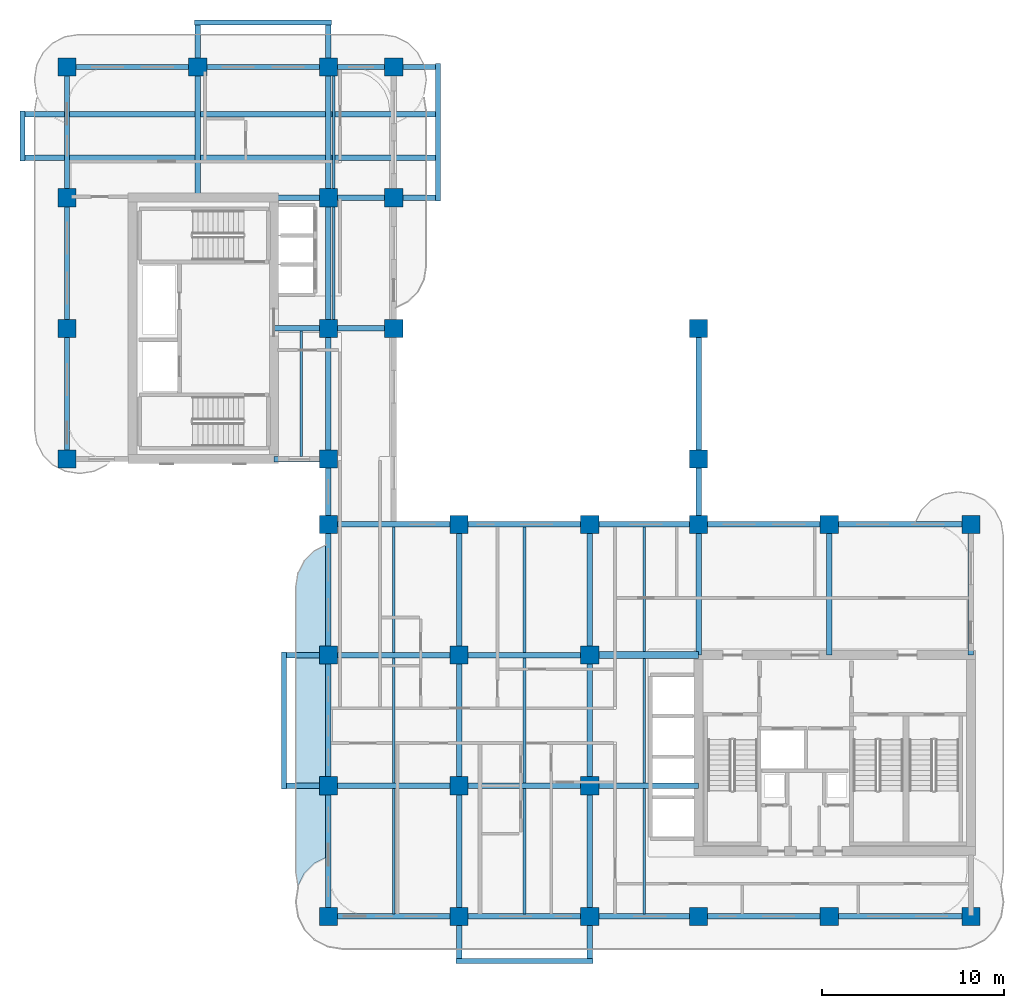
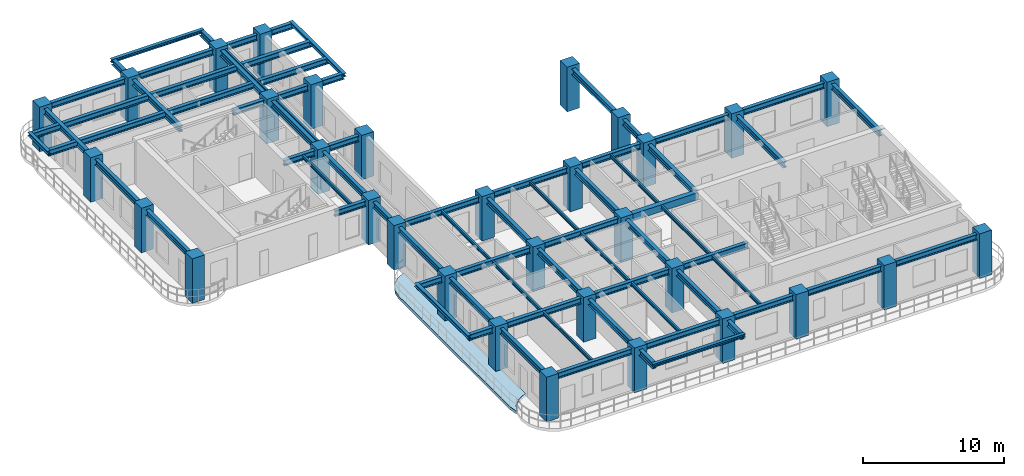
# One storey, part 1 of 14: 62 beams, 32 columns, 1 slab.
"""IFC4 building model written with IfcOpenShell, lengths in metres."""

from ifc_helpers import new_model, si_unit, derived_unit, direction, frame, origin, origin_2d, place, context, subcontext, project, spatial, polyline, rectangle, i_section, outline, extrude, source, transform, mapped, material, layer, layer_set, material_profile, profile_set, type_object, type_shapes, element, save


model = new_model("IFC4")

# Units and contexts
model_context = context("Model", 3, precision=1e-05, world=origin(), true_north=direction((0.0, 1.0)))
body_context = subcontext(model_context, "Body", "Model", "MODEL_VIEW")
ifc_project = project(units=[si_unit("LENGTHUNIT", "METRE"), si_unit("AREAUNIT", "SQUARE_METRE"), si_unit("VOLUMEUNIT", "CUBIC_METRE"), si_unit("PLANEANGLEUNIT", "RADIAN"), si_unit("MASSUNIT", "GRAM", prefix="KILO"), si_unit("THERMODYNAMICTEMPERATUREUNIT", "KELVIN"), si_unit("POWERUNIT", "WATT"), derived_unit("THERMALTRANSMITTANCEUNIT", [(si_unit("POWERUNIT", "WATT"), 1), (si_unit("AREAUNIT", "SQUARE_METRE"), -1), (si_unit("THERMODYNAMICTEMPERATUREUNIT", "KELVIN"), -1)])], contexts=[model_context])

# Site, building, storey
site_placement = place(None, origin())
site = spatial("IfcSite", under=ifc_project, at=site_placement, CompositionType="ELEMENT")
building_placement = place(site_placement, origin())
building = spatial("IfcBuilding", under=site, at=building_placement, Name="Zahravan Archway Hotel and Residences", CompositionType="ELEMENT")
storey_placement = place(building_placement, frame((0.0, 0.0, 188.800048828125)))
storey = spatial("IfcBuildingStorey", under=building, at=storey_placement, Name="L47", CompositionType="ELEMENT", Elevation=188.800048828125)

# Columns
ifc_material_1 = material(Name="Concrete C60/75", Category="concrete")
ifc_material_profile_1 = material_profile(ifc_material_1, rectangle(XDim=1.0, YDim=1.0, at=origin_2d()), Name="RC-COL-1000x1000", Category="concrete")
ifc_profile_set_1 = profile_set([ifc_material_profile_1], Name="Concrete C60/75")
column_type = type_object("IfcColumnType", Name="COL-RC-1000", PredefinedType="COLUMN", material=ifc_profile_set_1)
shared_shape_1 = source(origin(), body_context, "Body", "SweptSolid", [
    extrude(rectangle(XDim=1.0, YDim=1.0, at=origin_2d()), origin(), (0.0, 0.0, 1.0), 3.849853515625),
])
for number, where, z_axis, x_axis, name in (
    (1, (0.0, 25.199951171875, 0.0), (0.0, 0.0, 1.0), (1.0, 0.0, 0.0), "L47 Column 1-E"),
    (2, (0.0, 32.39990234375, 0.0), (0.0, 0.0, 1.0), (1.0, 0.0, 0.0), "L47 Column 1-F"),
    (3, (0.0, 39.60009765625, 0.0), (0.0, 0.0, 1.0), (1.0, 0.0, 0.0), "L47 Column 1-G"),
    (4, (0.0, 46.800048828125, 0.0), (0.0, 0.0, 1.0), (1.0, 0.0, 0.0), "L47 Column 1-H"),
    (5, (7.199951171875, 46.800048828125, 0.0), (0.0, 0.0, 1.0), (1.0, 0.0, 0.0), "L47 Column 2-H"),
    (6, (14.39990234375, 0.0, 0.0), (0.0, 0.0, 1.0), (1.0, 0.0, 0.0), "L47 Column 3-A"),
    (7, (14.39990234375, 7.199951171875, 0.0), (0.0, 0.0, 1.0), (1.0, 0.0, 0.0), "L47 Column 3-B"),
    (8, (14.39990234375, 14.39990234375, 0.0), (0.0, 0.0, 1.0), (1.0, 0.0, 0.0), "L47 Column 3-C"),
    (9, (14.39990234375, 21.60009765625, 0.0), (0.0, 0.0, 1.0), (1.0, 0.0, 0.0), "L47 Column 3-D"),
    (10, (14.39990234375, 25.199951171875, 0.0), (0.0, 0.0, 1.0), (1.0, 0.0, 0.0), "L47 Column 3-E"),
    (11, (14.39990234375, 32.39990234375, 0.0), (0.0, 0.0, 1.0), (1.0, 0.0, 0.0), "L47 Column 3-F"),
    (12, (14.39990234375, 39.60009765625, 0.0), (0.0, 0.0, 1.0), (1.0, 0.0, 0.0), "L47 Column 3-G"),
    (13, (14.39990234375, 46.800048828125, 0.0), (0.0, 0.0, 1.0), (1.0, 0.0, 0.0), "L47 Column 3-H"),
    (14, (21.60009765625, 0.0, 0.0), (0.0, 0.0, 1.0), (1.0, 0.0, 0.0), "L47 Column 4-A"),
    (15, (21.60009765625, 7.199951171875, 0.0), (0.0, 0.0, 1.0), (1.0, 0.0, 0.0), "L47 Column 4-B"),
    (16, (21.60009765625, 14.39990234375, 0.0), (0.0, 0.0, 1.0), (1.0, 0.0, 0.0), "L47 Column 4-C"),
    (17, (21.60009765625, 21.60009765625, 0.0), (0.0, 0.0, 1.0), (1.0, 0.0, 0.0), "L47 Column 4-D"),
    (18, (28.800048828125, 0.0, 0.0), (0.0, 0.0, 1.0), (1.0, 0.0, 0.0), "L47 Column 5-A"),
    (19, (28.800048828125, 7.199951171875, 0.0), (0.0, 0.0, 1.0), (1.0, 0.0, 0.0), "L47 Column 5-B"),
    (20, (28.800048828125, 14.39990234375, 0.0), (0.0, 0.0, 1.0), (1.0, 0.0, 0.0), "L47 Column 5-C"),
    (21, (28.800048828125, 21.60009765625, 0.0), (0.0, 0.0, 1.0), (1.0, 0.0, 0.0), "L47 Column 5-D"),
    (22, (34.800048828125, 0.0, 0.0), (0.0, 0.0, 1.0), (1.0, 0.0, 0.0), "L47 Column 6-A"),
    (23, (34.800048828125, 21.60009765625, 0.0), (0.0, 0.0, 1.0), (1.0, 0.0, 0.0), "L47 Column 6-D"),
    (24, (42.0, 0.0, 0.0), (0.0, 0.0, 1.0), (1.0, 0.0, 0.0), "L47 Column 7-A"),
    (25, (42.0, 21.60009765625, 0.0), (0.0, 0.0, 1.0), (1.0, 0.0, 0.0), "L47 Column 7-D"),
    (26, (49.800048828125, 0.0, 0.0), (0.0, 0.0, 1.0), (1.0, 0.0, 0.0), "L47 Column 8-A"),
    (27, (49.800048828125, 21.60009765625, 0.0), (0.0, 0.0, 1.0), (1.0, 0.0, 0.0), "L47 Column 8-D"),
    (28, (18.0, 32.39990234375, 0.0), (0.0, 0.0, 1.0), (1.0, 0.0, 0.0), "L47 Column 3B-F"),
    (29, (18.0, 39.60009765625, 0.0), (0.0, 0.0, 1.0), (1.0, 0.0, 0.0), "L47 Column 3B-G"),
    (30, (18.0, 46.800048828125, 0.0), (0.0, 0.0, 1.0), (1.0, 0.0, 0.0), "L47 Column 3B-H"),
    (31, (34.800048828125, 25.199951171875, 0.0), (0.0, 0.0, 1.0), (1.0, 0.0, 0.0), "L47 Column 6-E"),
    (32, (34.800048828125, 32.39990234375, 0.0), (0.0, 0.0, 1.0), (1.0, 0.0, 0.0), "L47 Column 6-F"),
):
    element("IfcColumn", number, at=place(storey_placement, frame(where, z_axis=z_axis, x_axis=x_axis)), inside=storey, type_object=column_type, Name=name, PredefinedType="COLUMN", context=body_context, shape_type="MappedRepresentation", body=[
        mapped(shared_shape_1, transform((0.0, 0.0, 0.0), scale=1.0)),
    ])

# Beams
ifc_material_2 = material(Name="Structural Steel S355JR", Category="steel")
ifc_material_profile_2 = material_profile(ifc_material_2, i_section(OverallWidth=0.280029296875, OverallDepth=0.280029296875, WebThickness=0.010498046875, FlangeThickness=0.01806640625, FilletRadius=0.02392578125, at=origin_2d()), Name="HEB 280", Category="steel")
ifc_profile_set_2 = profile_set([ifc_material_profile_2], Name="Structural Steel S355JR")
beam_type_1 = type_object("IfcBeamType", Name="BM-SPN-HEB280", PredefinedType="SPANDREL", material=ifc_profile_set_2)
shared_shape_2 = source(origin(), body_context, "Body", "SweptSolid", [
    extrude(i_section(OverallWidth=0.280029296875, OverallDepth=0.280029296875, WebThickness=0.010498046875, FlangeThickness=0.01806640625, FilletRadius=0.02392578125, at=origin_2d()), origin(), (0.0, 0.0, 1.0), 7.56005859375),
])
type_shapes(beam_type_1, [shared_shape_2])
for number, where, z_axis, x_axis, name in (
    (33, (11.949951171875, 7.02001953125, 3.4599609375), (0.0, 1.0, 0.0), (-1.0, 0.0, 0.0), "L48 WA Balcony Edge Spandrel"),
    (34, (20.449951171875, 39.419921875, 3.4599609375), (0.0, 1.0, 0.0), (-1.0, 0.0, 0.0), "L48 EB Balcony Edge Spandrel"),
    (35, (21.419921875, -2.449951171875, 3.4599609375), (1.0, 0.0, 0.0), (0.0, 1.0, 0.0), "L48 SA Balcony Edge Spandrel"),
    (36, (7.02001953125, 49.25, 3.4599609375), (1.0, 0.0, 0.0), (0.0, 1.0, 0.0), "L48 NB Balcony Edge Spandrel"),
):
    element("IfcBeam", number, at=place(storey_placement, frame(where, z_axis=z_axis, x_axis=x_axis)), inside=storey, type_object=beam_type_1, Name=name, PredefinedType="SPANDREL", context=body_context, shape_type="MappedRepresentation", body=[
        mapped(shared_shape_2, transform((0.0, 0.0, 0.0), scale=1.0)),
    ])
shared_shape_3 = source(origin(), body_context, "Body", "SweptSolid", [
    extrude(i_section(OverallWidth=0.280029296875, OverallDepth=0.280029296875, WebThickness=0.010498046875, FlangeThickness=0.01806640625, FilletRadius=0.02392578125, at=origin_2d()), origin(), (0.0, 0.0, 1.0), 2.759765625),
])
beam_1_placement = place(storey_placement, frame((-2.449951171875, 41.6201171875, 3.4599609375), z_axis=(0.0, 1.0, 0.0), x_axis=(-1.0, 0.0, 0.0)))
element("IfcBeam", 37, at=beam_1_placement, inside=storey, type_object=beam_type_1, Name="L48 WB Balcony Edge Spandrel", PredefinedType="SPANDREL", context=body_context, shape_type="MappedRepresentation", body=[
    mapped(shared_shape_3, transform((0.0, 0.0, 0.0), scale=1.0)),
])
ifc_material_profile_3 = material_profile(ifc_material_1, rectangle(XDim=0.39990234375, YDim=0.60009765625, at=origin_2d()), Name="RC-LNT-400x600", Category="concrete")
ifc_profile_set_3 = profile_set([ifc_material_profile_3], Name="Concrete C60/75")
beam_type_2 = type_object("IfcBeamType", Name="LNT-RC-400x600", PredefinedType="LINTEL", material=ifc_profile_set_3)
shared_shape_4 = source(origin(), body_context, "Body", "SweptSolid", [
    extrude(rectangle(XDim=0.39990234375, YDim=0.60009765625, at=origin_2d()), origin(), (0.0, 0.0, 1.0), 6.0),
])
type_shapes(beam_type_2, [shared_shape_4])
beam_2_placement = place(storey_placement, frame((28.800048828125, 14.39990234375, 3.300048828125), z_axis=(1.0, 0.0, 0.0), x_axis=(0.0, 1.0, 0.0)))
element("IfcBeam", 38, at=beam_2_placement, inside=storey, type_object=beam_type_2, Name="L47 Core A Coupling Lintel Beam", PredefinedType="LINTEL", context=body_context, shape_type="MappedRepresentation", body=[
    mapped(shared_shape_4, transform((0.0, 0.0, 0.0), scale=1.0)),
])
ifc_material_profile_4 = material_profile(ifc_material_2, i_section(OverallWidth=0.300048828125, OverallDepth=0.5, WebThickness=0.014404296875, FlangeThickness=0.028076171875, FilletRadius=0.027099609375, at=origin_2d()), Name="HEB 500", Category="steel")
ifc_profile_set_4 = profile_set([ifc_material_profile_4], Name="Structural Steel S355JR")
beam_type_3 = type_object("IfcBeamType", Name="BM-PRI-HEB500", PredefinedType="BEAM", material=ifc_profile_set_4)
shared_shape_5 = source(origin(), body_context, "Body", "SweptSolid", [
    extrude(i_section(OverallWidth=0.300048828125, OverallDepth=0.5, WebThickness=0.014404296875, FlangeThickness=0.028076171875, FilletRadius=0.027099609375, at=origin_2d()), origin(), (0.0, 0.0, 1.0), 7.2001953125),
])
type_shapes(beam_type_3, [shared_shape_5])
for number, where, z_axis, x_axis, name in (
    (39, (14.39990234375, 0.0, 3.349853515625), (1.0, 0.0, 0.0), (0.0, 1.0, 0.0), "L47 Primary Girder EW-01"),
    (40, (14.39990234375, 21.60009765625, 3.349853515625), (1.0, 0.0, 0.0), (0.0, 1.0, 0.0), "L47 Primary Girder EW-11"),
    (41, (0.0, 32.39990234375, 3.349853515625), (0.0, 1.0, 0.0), (-1.0, 0.0, 0.0), "L47 Primary Girder NS-24"),
    (42, (14.39990234375, 14.39990234375, 3.349853515625), (0.0, 1.0, 0.0), (-1.0, 0.0, 0.0), "L47 Primary Girder NS-29"),
    (43, (14.39990234375, 32.39990234375, 3.349853515625), (0.0, 1.0, 0.0), (-1.0, 0.0, 0.0), "L47 Primary Girder NS-32"),
    (44, (21.60009765625, 14.39990234375, 3.349853515625), (0.0, 1.0, 0.0), (-1.0, 0.0, 0.0), "L47 Primary Girder NS-36"),
    (45, (28.800048828125, 14.39990234375, 3.349853515625), (0.0, 1.0, 0.0), (-1.0, 0.0, 0.0), "L47 Primary Girder NS-39"),
    (46, (34.800048828125, 14.39990234375, 3.349853515625), (0.0, 1.0, 0.0), (-1.0, 0.0, 0.0), "L47 Primary Girder NS-40"),
    (47, (42.0, 14.39990234375, 3.349853515625), (0.0, 1.0, 0.0), (-1.0, 0.0, 0.0), "L47 Primary Girder NS-43"),
    (48, (49.800048828125, 14.39990234375, 3.349853515625), (0.0, 1.0, 0.0), (-1.0, 0.0, 0.0), "L47 Primary Girder NS-44"),
):
    element("IfcBeam", number, at=place(storey_placement, frame(where, z_axis=z_axis, x_axis=x_axis)), inside=storey, type_object=beam_type_3, Name=name, PredefinedType="BEAM", context=body_context, shape_type="MappedRepresentation", body=[
        mapped(shared_shape_5, transform((0.0, 0.0, 0.0), scale=1.0)),
    ])
shared_shape_6 = source(origin(), body_context, "Body", "SweptSolid", [
    extrude(i_section(OverallWidth=0.300048828125, OverallDepth=0.5, WebThickness=0.014404296875, FlangeThickness=0.028076171875, FilletRadius=0.027099609375, at=origin_2d()), origin(), (0.0, 0.0, 1.0), 7.199951171875),
])
for number, where, z_axis, x_axis, name in (
    (49, (21.60009765625, 0.0, 3.349853515625), (1.0, 0.0, 0.0), (0.0, 1.0, 0.0), "L47 Primary Girder EW-02"),
    (50, (34.800048828125, 0.0, 3.349853515625), (1.0, 0.0, 0.0), (0.0, 1.0, 0.0), "L47 Primary Girder EW-04"),
    (51, (21.60009765625, 7.199951171875, 3.349853515625), (1.0, 0.0, 0.0), (0.0, 1.0, 0.0), "L47 Primary Girder EW-07"),
    (52, (21.60009765625, 14.39990234375, 3.349853515625), (1.0, 0.0, 0.0), (0.0, 1.0, 0.0), "L47 Primary Girder EW-10"),
    (53, (21.60009765625, 21.60009765625, 3.349853515625), (1.0, 0.0, 0.0), (0.0, 1.0, 0.0), "L47 Primary Girder EW-12"),
    (54, (34.800048828125, 21.60009765625, 3.349853515625), (1.0, 0.0, 0.0), (0.0, 1.0, 0.0), "L47 Primary Girder EW-14"),
    (55, (0.0, 46.800048828125, 3.349853515625), (1.0, 0.0, 0.0), (0.0, 1.0, 0.0), "L47 Primary Girder EW-19"),
    (56, (0.0, 25.199951171875, 3.349853515625), (0.0, 1.0, 0.0), (-1.0, 0.0, 0.0), "L47 Primary Girder NS-23"),
    (57, (0.0, 39.60009765625, 3.349853515625), (0.0, 1.0, 0.0), (-1.0, 0.0, 0.0), "L47 Primary Girder NS-25"),
    (58, (14.39990234375, 0.0, 3.349853515625), (0.0, 1.0, 0.0), (-1.0, 0.0, 0.0), "L47 Primary Girder NS-27"),
    (59, (14.39990234375, 7.199951171875, 3.349853515625), (0.0, 1.0, 0.0), (-1.0, 0.0, 0.0), "L47 Primary Girder NS-28"),
    (60, (14.39990234375, 25.199951171875, 3.349853515625), (0.0, 1.0, 0.0), (-1.0, 0.0, 0.0), "L47 Primary Girder NS-31"),
    (61, (21.60009765625, 7.199951171875, 3.349853515625), (0.0, 1.0, 0.0), (-1.0, 0.0, 0.0), "L47 Primary Girder NS-35"),
    (62, (28.800048828125, 7.199951171875, 3.349853515625), (0.0, 1.0, 0.0), (-1.0, 0.0, 0.0), "L47 Primary Girder NS-38"),
    (63, (34.800048828125, 25.199951171875, 3.349853515625), (0.0, 1.0, 0.0), (-1.0, 0.0, 0.0), "L47 Primary Girder NS-42"),
):
    element("IfcBeam", number, at=place(storey_placement, frame(where, z_axis=z_axis, x_axis=x_axis)), inside=storey, type_object=beam_type_3, Name=name, PredefinedType="BEAM", context=body_context, shape_type="MappedRepresentation", body=[
        mapped(shared_shape_6, transform((0.0, 0.0, 0.0), scale=1.0)),
    ])
shared_shape_7 = source(origin(), body_context, "Body", "SweptSolid", [
    extrude(i_section(OverallWidth=0.300048828125, OverallDepth=0.5, WebThickness=0.014404296875, FlangeThickness=0.028076171875, FilletRadius=0.027099609375, at=origin_2d()), origin(), (0.0, 0.0, 1.0), 6.0),
])
for number, where, z_axis, x_axis, name in (
    (64, (28.800048828125, 0.0, 3.349853515625), (1.0, 0.0, 0.0), (0.0, 1.0, 0.0), "L47 Primary Girder EW-03"),
    (65, (28.800048828125, 7.199951171875, 3.349853515625), (1.0, 0.0, 0.0), (0.0, 1.0, 0.0), "L47 Primary Girder EW-08"),
    (66, (28.800048828125, 21.60009765625, 3.349853515625), (1.0, 0.0, 0.0), (0.0, 1.0, 0.0), "L47 Primary Girder EW-13"),
):
    element("IfcBeam", number, at=place(storey_placement, frame(where, z_axis=z_axis, x_axis=x_axis)), inside=storey, type_object=beam_type_3, Name=name, PredefinedType="BEAM", context=body_context, shape_type="MappedRepresentation", body=[
        mapped(shared_shape_7, transform((0.0, 0.0, 0.0), scale=1.0)),
    ])
shared_shape_8 = source(origin(), body_context, "Body", "SweptSolid", [
    extrude(i_section(OverallWidth=0.300048828125, OverallDepth=0.5, WebThickness=0.014404296875, FlangeThickness=0.028076171875, FilletRadius=0.027099609375, at=origin_2d()), origin(), (0.0, 0.0, 1.0), 7.800048828125),
])
for number, where, z_axis, x_axis, name in (
    (67, (42.0, 0.0, 3.349853515625), (1.0, 0.0, 0.0), (0.0, 1.0, 0.0), "L47 Primary Girder EW-05"),
    (68, (42.0, 21.60009765625, 3.349853515625), (1.0, 0.0, 0.0), (0.0, 1.0, 0.0), "L47 Primary Girder EW-15"),
):
    element("IfcBeam", number, at=place(storey_placement, frame(where, z_axis=z_axis, x_axis=x_axis)), inside=storey, type_object=beam_type_3, Name=name, PredefinedType="BEAM", context=body_context, shape_type="MappedRepresentation", body=[
        mapped(shared_shape_8, transform((0.0, 0.0, 0.0), scale=1.0)),
    ])
shared_shape_9 = source(origin(), body_context, "Body", "SweptSolid", [
    extrude(i_section(OverallWidth=0.300048828125, OverallDepth=0.5, WebThickness=0.014404296875, FlangeThickness=0.028076171875, FilletRadius=0.027099609375, at=origin_2d()), origin(), (0.0, 0.0, 1.0), 9.650146484375),
])
for number, where, z_axis, x_axis, name in (
    (69, (11.949951171875, 7.199951171875, 3.349853515625), (1.0, 0.0, 0.0), (0.0, 1.0, 0.0), "L47 Primary Girder EW-06"),
    (70, (11.949951171875, 14.39990234375, 3.349853515625), (1.0, 0.0, 0.0), (0.0, 1.0, 0.0), "L47 Primary Girder EW-09"),
):
    element("IfcBeam", number, at=place(storey_placement, frame(where, z_axis=z_axis, x_axis=x_axis)), inside=storey, type_object=beam_type_3, Name=name, PredefinedType="BEAM", context=body_context, shape_type="MappedRepresentation", body=[
        mapped(shared_shape_9, transform((0.0, 0.0, 0.0), scale=1.0)),
    ])
shared_shape_10 = source(origin(), body_context, "Body", "SweptSolid", [
    extrude(i_section(OverallWidth=0.300048828125, OverallDepth=0.5, WebThickness=0.014404296875, FlangeThickness=0.028076171875, FilletRadius=0.027099609375, at=origin_2d()), origin(), (0.0, 0.0, 1.0), 3.0),
])
beam_3_placement = place(storey_placement, frame((11.39990234375, 25.199951171875, 3.349853515625), z_axis=(1.0, 0.0, 0.0), x_axis=(0.0, 1.0, 0.0)))
element("IfcBeam", 71, at=beam_3_placement, inside=storey, type_object=beam_type_3, Name="L47 Primary Girder EW-16", PredefinedType="BEAM", context=body_context, shape_type="MappedRepresentation", body=[
    mapped(shared_shape_10, transform((0.0, 0.0, 0.0), scale=1.0)),
])
shared_shape_11 = source(origin(), body_context, "Body", "SweptSolid", [
    extrude(i_section(OverallWidth=0.300048828125, OverallDepth=0.5, WebThickness=0.014404296875, FlangeThickness=0.028076171875, FilletRadius=0.027099609375, at=origin_2d()), origin(), (0.0, 0.0, 1.0), 6.60009765625),
])
beam_4_placement = place(storey_placement, frame((11.39990234375, 32.39990234375, 3.349853515625), z_axis=(1.0, 0.0, 0.0), x_axis=(0.0, 1.0, 0.0)))
element("IfcBeam", 72, at=beam_4_placement, inside=storey, type_object=beam_type_3, Name="L47 Primary Girder EW-17", PredefinedType="BEAM", context=body_context, shape_type="MappedRepresentation", body=[
    mapped(shared_shape_11, transform((0.0, 0.0, 0.0), scale=1.0)),
])
shared_shape_12 = source(origin(), body_context, "Body", "SweptSolid", [
    extrude(i_section(OverallWidth=0.300048828125, OverallDepth=0.5, WebThickness=0.014404296875, FlangeThickness=0.028076171875, FilletRadius=0.027099609375, at=origin_2d()), origin(), (0.0, 0.0, 1.0), 9.050048828125),
])
beam_5_placement = place(storey_placement, frame((11.39990234375, 39.60009765625, 3.349853515625), z_axis=(1.0, 0.0, 0.0), x_axis=(0.0, 1.0, 0.0)))
element("IfcBeam", 73, at=beam_5_placement, inside=storey, type_object=beam_type_3, Name="L47 Primary Girder EW-18", PredefinedType="BEAM", context=body_context, shape_type="MappedRepresentation", body=[
    mapped(shared_shape_12, transform((0.0, 0.0, 0.0), scale=1.0)),
])
shared_shape_13 = source(origin(), body_context, "Body", "SweptSolid", [
    extrude(i_section(OverallWidth=0.300048828125, OverallDepth=0.5, WebThickness=0.014404296875, FlangeThickness=0.028076171875, FilletRadius=0.027099609375, at=origin_2d()), origin(), (0.0, 0.0, 1.0), 13.25),
])
beam_6_placement = place(storey_placement, frame((7.199951171875, 46.800048828125, 3.349853515625), z_axis=(1.0, 0.0, 0.0), x_axis=(0.0, 1.0, 0.0)))
element("IfcBeam", 74, at=beam_6_placement, inside=storey, type_object=beam_type_3, Name="L47 Primary Girder EW-20", PredefinedType="BEAM", context=body_context, shape_type="MappedRepresentation", body=[
    mapped(shared_shape_13, transform((0.0, 0.0, 0.0), scale=1.0)),
])
shared_shape_14 = source(origin(), body_context, "Body", "SweptSolid", [
    extrude(i_section(OverallWidth=0.300048828125, OverallDepth=0.5, WebThickness=0.014404296875, FlangeThickness=0.028076171875, FilletRadius=0.027099609375, at=origin_2d()), origin(), (0.0, 0.0, 1.0), 22.89990234375),
])
for number, where, z_axis, x_axis, name in (
    (75, (-2.449951171875, 41.800048828125, 3.349853515625), (1.0, 0.0, 0.0), (0.0, 1.0, 0.0), "L47 Primary Girder EW-21"),
    (76, (-2.449951171875, 44.199951171875, 3.349853515625), (1.0, 0.0, 0.0), (0.0, 1.0, 0.0), "L47 Primary Girder EW-22"),
):
    element("IfcBeam", number, at=place(storey_placement, frame(where, z_axis=z_axis, x_axis=x_axis)), inside=storey, type_object=beam_type_3, Name=name, PredefinedType="BEAM", context=body_context, shape_type="MappedRepresentation", body=[
        mapped(shared_shape_14, transform((0.0, 0.0, 0.0), scale=1.0)),
    ])
shared_shape_15 = source(origin(), body_context, "Body", "SweptSolid", [
    extrude(i_section(OverallWidth=0.300048828125, OverallDepth=0.5, WebThickness=0.014404296875, FlangeThickness=0.028076171875, FilletRadius=0.027099609375, at=origin_2d()), origin(), (0.0, 0.0, 1.0), 9.64990234375),
])
for number, where, z_axis, x_axis, name in (
    (77, (7.199951171875, 39.60009765625, 3.349853515625), (0.0, 1.0, 0.0), (-1.0, 0.0, 0.0), "L47 Primary Girder NS-26"),
    (78, (14.39990234375, 39.60009765625, 3.349853515625), (0.0, 1.0, 0.0), (-1.0, 0.0, 0.0), "L47 Primary Girder NS-33"),
    (79, (21.60009765625, -2.449951171875, 3.349853515625), (0.0, 1.0, 0.0), (-1.0, 0.0, 0.0), "L47 Primary Girder NS-34"),
    (80, (28.800048828125, -2.449951171875, 3.349853515625), (0.0, 1.0, 0.0), (-1.0, 0.0, 0.0), "L47 Primary Girder NS-37"),
):
    element("IfcBeam", number, at=place(storey_placement, frame(where, z_axis=z_axis, x_axis=x_axis)), inside=storey, type_object=beam_type_3, Name=name, PredefinedType="BEAM", context=body_context, shape_type="MappedRepresentation", body=[
        mapped(shared_shape_15, transform((0.0, 0.0, 0.0), scale=1.0)),
    ])
shared_shape_16 = source(origin(), body_context, "Body", "SweptSolid", [
    extrude(i_section(OverallWidth=0.300048828125, OverallDepth=0.5, WebThickness=0.014404296875, FlangeThickness=0.028076171875, FilletRadius=0.027099609375, at=origin_2d()), origin(), (0.0, 0.0, 1.0), 3.599853515625),
])
for number, where, z_axis, x_axis, name in (
    (81, (14.39990234375, 21.60009765625, 3.349853515625), (0.0, 1.0, 0.0), (-1.0, 0.0, 0.0), "L47 Primary Girder NS-30"),
    (82, (34.800048828125, 21.60009765625, 3.349853515625), (0.0, 1.0, 0.0), (-1.0, 0.0, 0.0), "L47 Primary Girder NS-41"),
):
    element("IfcBeam", number, at=place(storey_placement, frame(where, z_axis=z_axis, x_axis=x_axis)), inside=storey, type_object=beam_type_3, Name=name, PredefinedType="BEAM", context=body_context, shape_type="MappedRepresentation", body=[
        mapped(shared_shape_16, transform((0.0, 0.0, 0.0), scale=1.0)),
    ])
ifc_material_profile_5 = material_profile(ifc_material_2, i_section(OverallWidth=0.14990234375, OverallDepth=0.300048828125, WebThickness=0.007080078125, FlangeThickness=0.0107421875, FilletRadius=0.014892578125, at=origin_2d()), Name="IPE 300", Category="steel")
ifc_profile_set_5 = profile_set([ifc_material_profile_5], Name="Structural Steel S355JR")
beam_type_4 = type_object("IfcBeamType", Name="BM-JST-IPE300", PredefinedType="JOIST", material=ifc_profile_set_5)
shared_shape_17 = source(origin(), body_context, "Body", "SweptSolid", [
    extrude(i_section(OverallWidth=0.14990234375, OverallDepth=0.300048828125, WebThickness=0.007080078125, FlangeThickness=0.0107421875, FilletRadius=0.014892578125, at=origin_2d()), origin(), (0.0, 0.0, 1.0), 6.904052734375),
])
type_shapes(beam_type_4, [shared_shape_17])
for number, where, z_axis, x_axis, name in (
    (83, (18.0, 0.14794921875, 3.449951171875), (0.0, 1.0, 0.0), (-1.0, 0.0, 0.0), "L47 Composite Floor Joist 01"),
    (84, (25.199951171875, 0.14794921875, 3.449951171875), (0.0, 1.0, 0.0), (-1.0, 0.0, 0.0), "L47 Composite Floor Joist 02"),
    (85, (31.800048828125, 0.14794921875, 3.449951171875), (0.0, 1.0, 0.0), (-1.0, 0.0, 0.0), "L47 Composite Floor Joist 03"),
    (86, (18.0, 7.347900390625, 3.449951171875), (0.0, 1.0, 0.0), (-1.0, 0.0, 0.0), "L47 Composite Floor Joist 04"),
    (87, (25.199951171875, 7.347900390625, 3.449951171875), (0.0, 1.0, 0.0), (-1.0, 0.0, 0.0), "L47 Composite Floor Joist 05"),
    (88, (12.89990234375, 25.347900390625, 3.449951171875), (0.0, 1.0, 0.0), (-1.0, 0.0, 0.0), "L47 Composite Floor Joist 10"),
    (89, (14.699951171875, 39.748046875, 3.449951171875), (0.0, 1.0, 0.0), (-1.0, 0.0, 0.0), "L47 Composite Floor Joist 12"),
):
    element("IfcBeam", number, at=place(storey_placement, frame(where, z_axis=z_axis, x_axis=x_axis)), inside=storey, type_object=beam_type_4, Name=name, PredefinedType="JOIST", context=body_context, shape_type="MappedRepresentation", body=[
        mapped(shared_shape_17, transform((0.0, 0.0, 0.0), scale=1.0)),
    ])
shared_shape_18 = source(origin(), body_context, "Body", "SweptSolid", [
    extrude(i_section(OverallWidth=0.14990234375, OverallDepth=0.300048828125, WebThickness=0.007080078125, FlangeThickness=0.0107421875, FilletRadius=0.014892578125, at=origin_2d()), origin(), (0.0, 0.0, 1.0), 6.85400390625),
])
for number, where, z_axis, x_axis, name in (
    (90, (31.800048828125, 7.347900390625, 3.449951171875), (0.0, 1.0, 0.0), (-1.0, 0.0, 0.0), "L47 Composite Floor Joist 06"),
    (91, (31.800048828125, 14.597900390625, 3.449951171875), (0.0, 1.0, 0.0), (-1.0, 0.0, 0.0), "L47 Composite Floor Joist 07"),
):
    element("IfcBeam", number, at=place(storey_placement, frame(where, z_axis=z_axis, x_axis=x_axis)), inside=storey, type_object=beam_type_4, Name=name, PredefinedType="JOIST", context=body_context, shape_type="MappedRepresentation", body=[
        mapped(shared_shape_18, transform((0.0, 0.0, 0.0), scale=1.0)),
    ])
shared_shape_19 = source(origin(), body_context, "Body", "SweptSolid", [
    extrude(i_section(OverallWidth=0.14990234375, OverallDepth=0.300048828125, WebThickness=0.007080078125, FlangeThickness=0.0107421875, FilletRadius=0.014892578125, at=origin_2d()), origin(), (0.0, 0.0, 1.0), 6.90380859375),
])
for number, where, z_axis, x_axis, name in (
    (92, (18.0, 14.548095703125, 3.449951171875), (0.0, 1.0, 0.0), (-1.0, 0.0, 0.0), "L47 Composite Floor Joist 08"),
    (93, (25.199951171875, 14.548095703125, 3.449951171875), (0.0, 1.0, 0.0), (-1.0, 0.0, 0.0), "L47 Composite Floor Joist 09"),
    (94, (14.699951171875, 32.548095703125, 3.449951171875), (0.0, 1.0, 0.0), (-1.0, 0.0, 0.0), "L47 Composite Floor Joist 11"),
):
    element("IfcBeam", number, at=place(storey_placement, frame(where, z_axis=z_axis, x_axis=x_axis)), inside=storey, type_object=beam_type_4, Name=name, PredefinedType="JOIST", context=body_context, shape_type="MappedRepresentation", body=[
        mapped(shared_shape_19, transform((0.0, 0.0, 0.0), scale=1.0)),
    ])

# Slab
ifc_material_3 = material(Name="Concrete C45/55", Category="concrete")
ifc_layer = layer(ifc_material_3, 0.25, Name="Concrete C45/55", Category="concrete")
ifc_layer_set = layer_set([ifc_layer], Name="Concrete C45/55")
slab_type = type_object("IfcSlabType", Name="SLB-BALC-250", PredefinedType="FLOOR", material=ifc_layer_set)
slab_placement = place(storey_placement, frame((0.0, 0.0, -0.25)))
element("IfcSlab", 95, at=slab_placement, inside=storey, type_object=slab_type, Name="L47 Wing A West Rounded Balcony Band", PredefinedType="FLOOR", context=body_context, shape_type="SweptSolid", body=[
    extrude(outline(polyline([(12.719970703125, 1.69287109375), (12.60009765625, 2.449951171875), (12.60009765625, 18.14990234375), (12.719970703125, 18.906982421875), (13.06787109375, 19.590087890625), (13.60986328125, 20.132080078125), (14.29296875, 20.47998046875), (14.3798828125, 20.493896484375), (14.3798828125, 3.298095703125), (14.37890625, 3.298095703125), (14.376953125, 3.2978515625), (14.35888671875, 3.294921875), (14.356689453125, 3.29443359375), (14.354736328125, 3.2939453125), (14.352783203125, 3.29296875), (13.64208984375, 2.930908203125), (13.64013671875, 2.9296875), (13.638427734375, 2.928466796875), (13.636962890625, 2.927001953125), (13.072998046875, 2.363037109375), (13.071533203125, 2.361572265625), (13.0703125, 2.35986328125), (13.069091796875, 2.35791015625), (12.72509765625, 1.6826171875), (12.719970703125, 1.69287109375)])), origin(), (0.0, 0.0, 1.0), 0.25),
])

save(model, "model.ifc")
